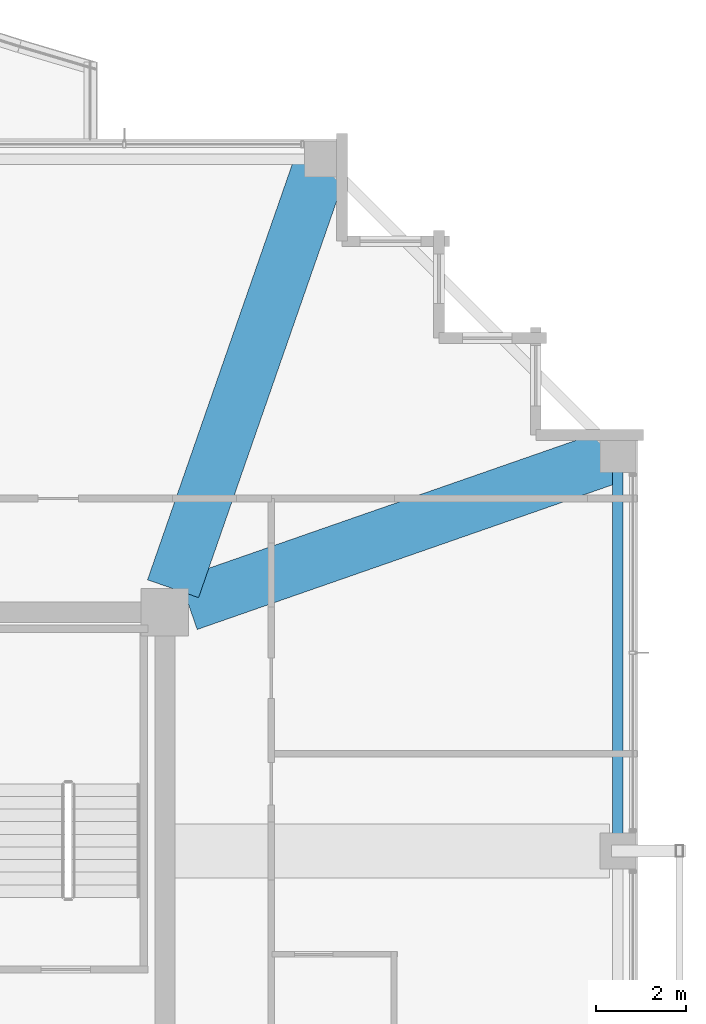
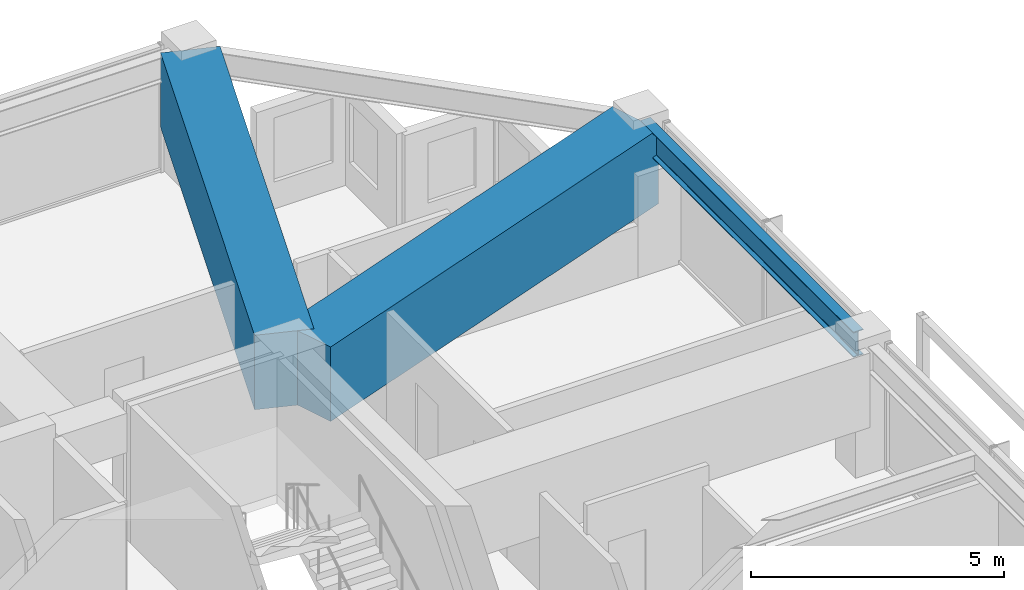
# One storey, part 22 of 37: 3 beams.
"""IFC4 building model written with IfcOpenShell, lengths in metres."""

from ifc_helpers import new_model, si_unit, direction, frame, origin, origin_2d, place, context, subcontext, project, spatial, rectangle, i_section, extrude, material, material_profile, profile_set, type_object, element, save


model = new_model("IFC4")

# Units and contexts
model_context = context("Model", 3, precision=1e-05, world=origin(), true_north=direction((0.0, 1.0)))
body_context = subcontext(model_context, "Body", "Model", "MODEL_VIEW")
ifc_project = project(units=[si_unit("LENGTHUNIT", "METRE"), si_unit("AREAUNIT", "SQUARE_METRE"), si_unit("VOLUMEUNIT", "CUBIC_METRE"), si_unit("PLANEANGLEUNIT", "RADIAN"), si_unit("MASSUNIT", "GRAM", prefix="KILO")], contexts=[model_context])

# Site, building, storey
site_placement = place(None, origin())
site = spatial("IfcSite", under=ifc_project, at=site_placement, CompositionType="ELEMENT")
building_placement = place(site_placement, origin())
building = spatial("IfcBuilding", under=site, at=building_placement, Name="Kolvaren Belvedere", CompositionType="ELEMENT")
storey_placement = place(building_placement, frame((0.0, 0.0, 219.60009765625)))
storey = spatial("IfcBuildingStorey", under=building, at=storey_placement, Name="L64", CompositionType="ELEMENT", Elevation=219.60009765625)

# Beams
ifc_material_1 = material(Name="Structural steel ASTM A992 Grade 50", Category="steel")
ifc_material_profile_1 = material_profile(ifc_material_1, i_section(OverallWidth=0.22900390625, OverallDepth=0.612060546875, WebThickness=0.011962890625, FlangeThickness=0.01953125, FilletRadius=0.01806640625, at=origin_2d()), Name="W24X84")
ifc_profile_set_1 = profile_set([ifc_material_profile_1], Name="Structural steel ASTM A992 Grade 50")
beam_type_1 = type_object("IfcBeamType", Name="BM-SPAN-W24X84", PredefinedType="SPANDREL", material=ifc_profile_set_1)
beam_placement = place(storey_placement, frame((19.949951171875, 4.780029296875, 2.77392578125), z_axis=(0.0, 1.0, 0.0), x_axis=(-1.0, 0.0, 0.0)))
element("IfcBeam", 1, at=beam_placement, inside=storey, type_object=beam_type_1, Name="L64 Perimeter Spandrel E3-E4", PredefinedType="SPANDREL", context=body_context, shape_type="SweptSolid", body=[
    extrude(i_section(OverallWidth=0.22900390625, OverallDepth=0.612060546875, WebThickness=0.011962890625, FlangeThickness=0.01953125, FilletRadius=0.01806640625, at=origin_2d()), origin(), (0.0, 0.0, 1.0), 8.43994140625),
])
ifc_material_2 = material(Name="Concrete C50/60", Category="concrete")
ifc_material_profile_2 = material_profile(ifc_material_2, rectangle(XDim=1.199951171875, YDim=1.800048828125, at=origin_2d()), Name="RC 1200X1800")
ifc_profile_set_2 = profile_set([ifc_material_profile_2], Name="Concrete C50/60")
beam_type_2 = type_object("IfcBeamType", Name="BM-TG-1800", PredefinedType="BEAM", material=ifc_profile_set_2)
for number, where, z_axis, x_axis, name in (
    (2, (10.080810546875, 10.41943359375, 2.179931640625), (0.328898147971, 0.944365399758, 0.0), (-0.944365399758, 0.328898147971, 0.0), "L64 Corner Core-to-Perimeter Girder CC3-N4"),
    (3, (10.41943359375, 10.080810546875, 2.179931640625), (0.944365399758, 0.328898147971, 0.0), (-0.328898147971, 0.944365399758, 0.0), "L64 Corner Core-to-Perimeter Girder CC3-E4"),
):
    element("IfcBeam", number, at=place(storey_placement, frame(where, z_axis=z_axis, x_axis=x_axis)), inside=storey, type_object=beam_type_2, Name=name, PredefinedType="BEAM", context=body_context, shape_type="SweptSolid", body=[
        extrude(rectangle(XDim=1.199951171875, YDim=1.800048828125, at=origin_2d()), origin(), (0.0, 0.0, 1.0), 9.931884765625),
    ])

save(model, "model.ifc")
